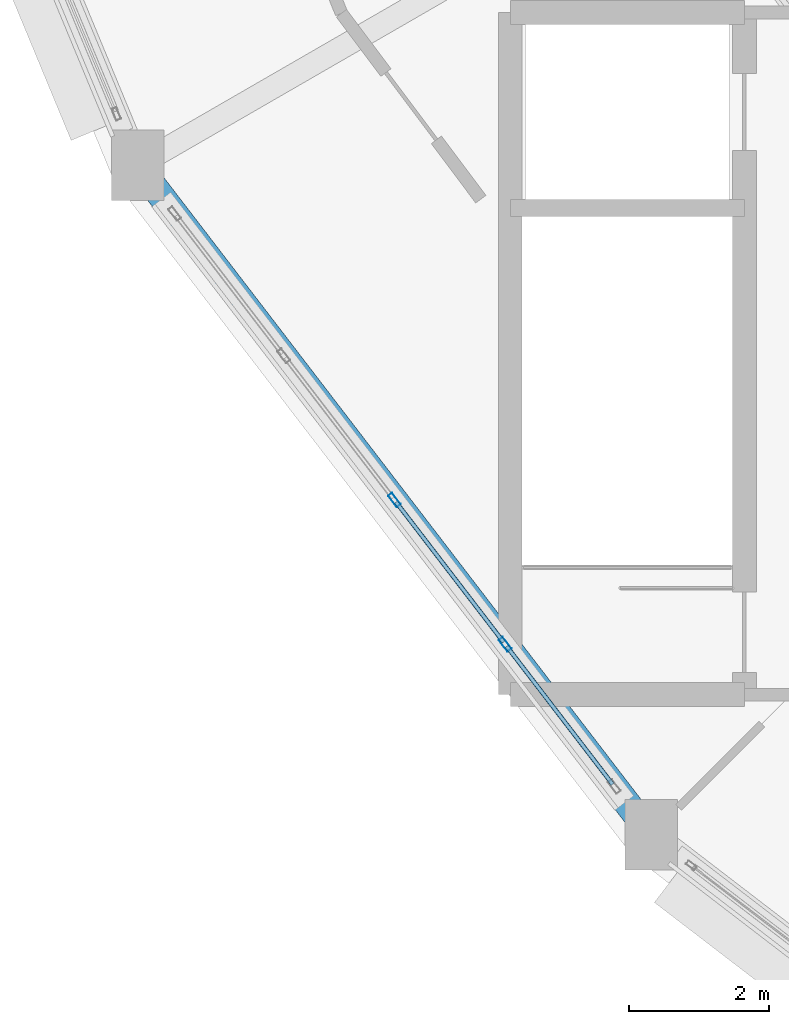
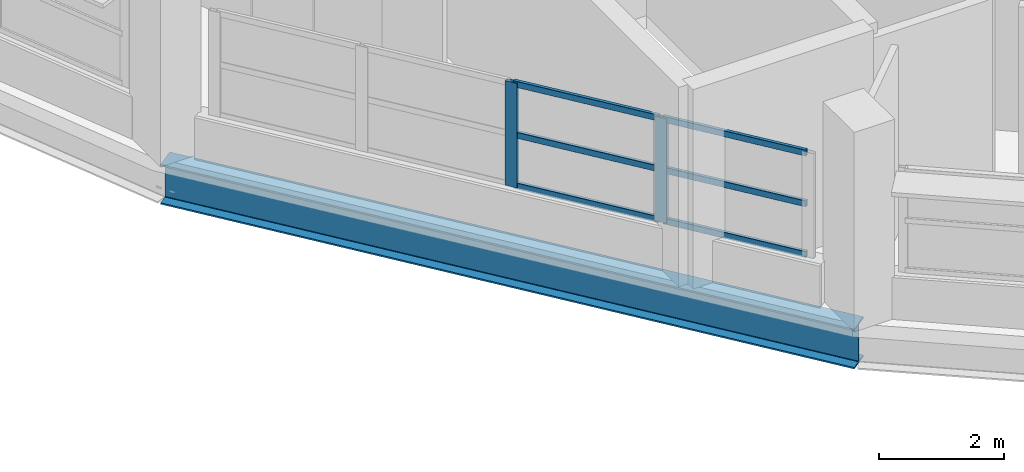
# One storey, part 7 of 53: 8 members, 1 beam, 1 element without a shape of its own.
"""IFC4 building model written with IfcOpenShell, lengths in metres."""

from ifc_helpers import new_model, si_unit, direction, frame, origin, origin_2d, place, context, subcontext, project, spatial, hollow_rectangle, i_section, extrude, material, layer, layer_set, material_profile, profile_set, type_object, element, aggregate, save


model = new_model("IFC4")

# Units and contexts
model_context = context("Model", 3, precision=1e-05, world=origin(), true_north=direction((0.0, 1.0)))
body_context = subcontext(model_context, "Body", "Model", "MODEL_VIEW")
ifc_project = project(units=[si_unit("LENGTHUNIT", "METRE"), si_unit("AREAUNIT", "SQUARE_METRE"), si_unit("VOLUMEUNIT", "CUBIC_METRE"), si_unit("PLANEANGLEUNIT", "RADIAN"), si_unit("MASSUNIT", "GRAM", prefix="KILO")], contexts=[model_context])

# Site, building, storey
site_placement = place(None, origin())
site = spatial("IfcSite", under=ifc_project, at=site_placement, CompositionType="ELEMENT")
building_placement = place(site_placement, origin())
building = spatial("IfcBuilding", under=site, at=building_placement, Name="Vespera Passage Community Centre", CompositionType="ELEMENT")
storey_placement = place(building_placement, frame((0.0, 0.0, 20.39990234375)))
storey = spatial("IfcBuildingStorey", under=building, at=storey_placement, Name="L05", CompositionType="ELEMENT", Elevation=20.39990234375)

# Beam
ifc_material_1 = material(Name="Steel ASTM A992 Grade 50", Category="steel")
ifc_material_profile_1 = material_profile(ifc_material_1, i_section(OverallWidth=0.382080078125, OverallDepth=0.779296875, WebThickness=0.01806640625, FlangeThickness=0.030029296875, FilletRadius=0.0166015625, at=origin_2d()), Name="W30X191")
ifc_profile_set_1 = profile_set([ifc_material_profile_1], Name="Steel ASTM A992 Grade 50")
beam_type = type_object("IfcBeamType", Name="BM-SP-W30X191E", PredefinedType="SPANDREL", material=ifc_profile_set_1)
beam_placement = place(storey_placement, frame((38.076171875, 42.449951171875, -0.649658203125), z_axis=(0.608763261066, -0.793351934501, 0.0), x_axis=(0.793351934501, 0.608763261066, 0.0)))
element("IfcBeam", 1, at=beam_placement, inside=storey, type_object=beam_type, Name="V4 L05 Outer Spandrel 14", PredefinedType="SPANDREL", context=body_context, shape_type="SweptSolid", body=[
    extrude(i_section(OverallWidth=0.382080078125, OverallDepth=0.779296875, WebThickness=0.01806640625, FlangeThickness=0.030029296875, FilletRadius=0.0166015625, at=origin_2d()), origin(), (0.0, 0.0, 1.0), 12.034423828125),
])

# Curtain wall, members
ifc_material_2 = material(Name="Anodized aluminium 6063-T6", Category="aluminium")
ifc_layer = layer(ifc_material_2, 0.159912109375)
ifc_layer_set = layer_set([ifc_layer], Name="Anodized aluminium 6063-T6")
curtain_wall_type = type_object("IfcCurtainWallType", Name="CW-77E", PredefinedType="NOTDEFINED", material=ifc_layer_set)
curtain_wall_placement = place(storey_placement, origin())
curtain_wall = element("IfcCurtainWall", 2, at=curtain_wall_placement, inside=storey, type_object=curtain_wall_type, Name="V4 L05 Outer Ribbon Curtain Wall 14", PredefinedType="NOTDEFINED")
ifc_material_3 = material(Name="Anodized aluminium 6063-T6", Category="aluminium")
ifc_material_profile_2 = material_profile(ifc_material_3, hollow_rectangle(XDim=0.074951171875, YDim=0.2099609375, WallThickness=0.0048828125, InnerFilletRadius=0.00244140625, OuterFilletRadius=0.0048828125, at=origin_2d()), Name="ALU210X75X5")
ifc_profile_set_2 = profile_set([ifc_material_profile_2], Name="Anodized aluminium 6063-T6")
member_type_1 = type_object("IfcMemberType", Name="MB-CWM-210E", PredefinedType="MULLION", material=ifc_profile_set_2)
member_1_placement = place(storey_placement, frame((43.31787109375, 35.618896484375, 0.820068359375), z_axis=(0.0, 0.0, 1.0), x_axis=(-0.793350257139, -0.608765447029, 0.0)))
member_1 = element("IfcMember", 3, at=member_1_placement, type_object=member_type_1, Name="CW-77E mullion 2", PredefinedType="MULLION", context=body_context, shape_type="SweptSolid", body=[
    extrude(hollow_rectangle(XDim=0.074951171875, YDim=0.2099609375, WallThickness=0.0048828125, InnerFilletRadius=0.00244140625, OuterFilletRadius=0.0048828125, at=origin_2d()), origin(), (0.0, 0.0, 1.0), 2.0458984375),
])
member_2_placement = place(storey_placement, frame((41.7392578125, 37.67626953125, 0.820068359375), z_axis=(0.0, 0.0, 1.0), x_axis=(-0.793350257139, -0.608765447029, 0.0)))
member_2 = element("IfcMember", 4, at=member_2_placement, type_object=member_type_1, Name="CW-77E mullion 3", PredefinedType="MULLION", context=body_context, shape_type="SweptSolid", body=[
    extrude(hollow_rectangle(XDim=0.074951171875, YDim=0.2099609375, WallThickness=0.0048828125, InnerFilletRadius=0.00244140625, OuterFilletRadius=0.0048828125, at=origin_2d()), origin(), (0.0, 0.0, 1.0), 2.0458984375),
])
ifc_material_4 = material(Name="Anodized aluminium 6063-T6", Category="aluminium")
ifc_material_profile_3 = material_profile(ifc_material_4, hollow_rectangle(XDim=0.06005859375, YDim=0.1201171875, WallThickness=0.00390625, InnerFilletRadius=0.001953125, OuterFilletRadius=0.00390625, at=origin_2d()), Name="ALU120X60X4")
ifc_profile_set_3 = profile_set([ifc_material_profile_3], Name="Anodized aluminium 6063-T6")
member_type_2 = type_object("IfcMemberType", Name="MB-CWT-120E", PredefinedType="USERDEFINED", material=ifc_profile_set_3)
member_3_placement = place(storey_placement, frame((44.850830078125, 33.62109375, 0.85009765625), z_axis=(-0.608735234275, 0.79337343953, 0.0), x_axis=(-0.79337343953, -0.608735234275, 0.0)))
member_3 = element("IfcMember", 5, at=member_3_placement, type_object=member_type_2, Name="CW-77E transom 1.1", ObjectType="TRANSOM", PredefinedType="USERDEFINED", context=body_context, shape_type="SweptSolid", body=[
    extrude(hollow_rectangle(XDim=0.06005859375, YDim=0.1201171875, WallThickness=0.00390625, InnerFilletRadius=0.001953125, OuterFilletRadius=0.00390625, at=origin_2d()), origin(), (0.0, 0.0, 1.0), 2.48046875),
])
member_4_placement = place(storey_placement, frame((44.850830078125, 33.62109375, 1.843017578125), z_axis=(-0.608735234275, 0.79337343953, 0.0), x_axis=(-0.79337343953, -0.608735234275, 0.0)))
member_4 = element("IfcMember", 6, at=member_4_placement, type_object=member_type_2, Name="CW-77E transom 1.2", ObjectType="TRANSOM", PredefinedType="USERDEFINED", context=body_context, shape_type="SweptSolid", body=[
    extrude(hollow_rectangle(XDim=0.06005859375, YDim=0.1201171875, WallThickness=0.00390625, InnerFilletRadius=0.001953125, OuterFilletRadius=0.00390625, at=origin_2d()), origin(), (0.0, 0.0, 1.0), 2.48046875),
])
member_5_placement = place(storey_placement, frame((44.850830078125, 33.62109375, 2.8359375), z_axis=(-0.608735234275, 0.79337343953, 0.0), x_axis=(-0.79337343953, -0.608735234275, 0.0)))
member_5 = element("IfcMember", 7, at=member_5_placement, type_object=member_type_2, Name="CW-77E transom 1.3", ObjectType="TRANSOM", PredefinedType="USERDEFINED", context=body_context, shape_type="SweptSolid", body=[
    extrude(hollow_rectangle(XDim=0.06005859375, YDim=0.1201171875, WallThickness=0.00390625, InnerFilletRadius=0.001953125, OuterFilletRadius=0.00390625, at=origin_2d()), origin(), (0.0, 0.0, 1.0), 2.48046875),
])
member_6_placement = place(storey_placement, frame((43.295166015625, 35.648681640625, 0.85009765625), z_axis=(-0.608759186888, 0.793355060726, 0.0), x_axis=(-0.793355060726, -0.608759186888, 0.0)))
member_6 = element("IfcMember", 8, at=member_6_placement, type_object=member_type_2, Name="CW-77E transom 2.1", ObjectType="TRANSOM", PredefinedType="USERDEFINED", context=body_context, shape_type="SweptSolid", body=[
    extrude(hollow_rectangle(XDim=0.06005859375, YDim=0.1201171875, WallThickness=0.00390625, InnerFilletRadius=0.001953125, OuterFilletRadius=0.00390625, at=origin_2d()), origin(), (0.0, 0.0, 1.0), 2.51806640625),
])
member_7_placement = place(storey_placement, frame((43.295166015625, 35.648681640625, 1.843017578125), z_axis=(-0.608759186888, 0.793355060726, 0.0), x_axis=(-0.793355060726, -0.608759186888, 0.0)))
member_7 = element("IfcMember", 9, at=member_7_placement, type_object=member_type_2, Name="CW-77E transom 2.2", ObjectType="TRANSOM", PredefinedType="USERDEFINED", context=body_context, shape_type="SweptSolid", body=[
    extrude(hollow_rectangle(XDim=0.06005859375, YDim=0.1201171875, WallThickness=0.00390625, InnerFilletRadius=0.001953125, OuterFilletRadius=0.00390625, at=origin_2d()), origin(), (0.0, 0.0, 1.0), 2.51806640625),
])
member_8_placement = place(storey_placement, frame((43.295166015625, 35.648681640625, 2.8359375), z_axis=(-0.608759186888, 0.793355060726, 0.0), x_axis=(-0.793355060726, -0.608759186888, 0.0)))
member_8 = element("IfcMember", 10, at=member_8_placement, type_object=member_type_2, Name="CW-77E transom 2.3", ObjectType="TRANSOM", PredefinedType="USERDEFINED", context=body_context, shape_type="SweptSolid", body=[
    extrude(hollow_rectangle(XDim=0.06005859375, YDim=0.1201171875, WallThickness=0.00390625, InnerFilletRadius=0.001953125, OuterFilletRadius=0.00390625, at=origin_2d()), origin(), (0.0, 0.0, 1.0), 2.51806640625),
])
aggregate(curtain_wall, [member_1, member_2, member_3, member_4, member_5, member_6, member_7, member_8])

save(model, "model.ifc")
